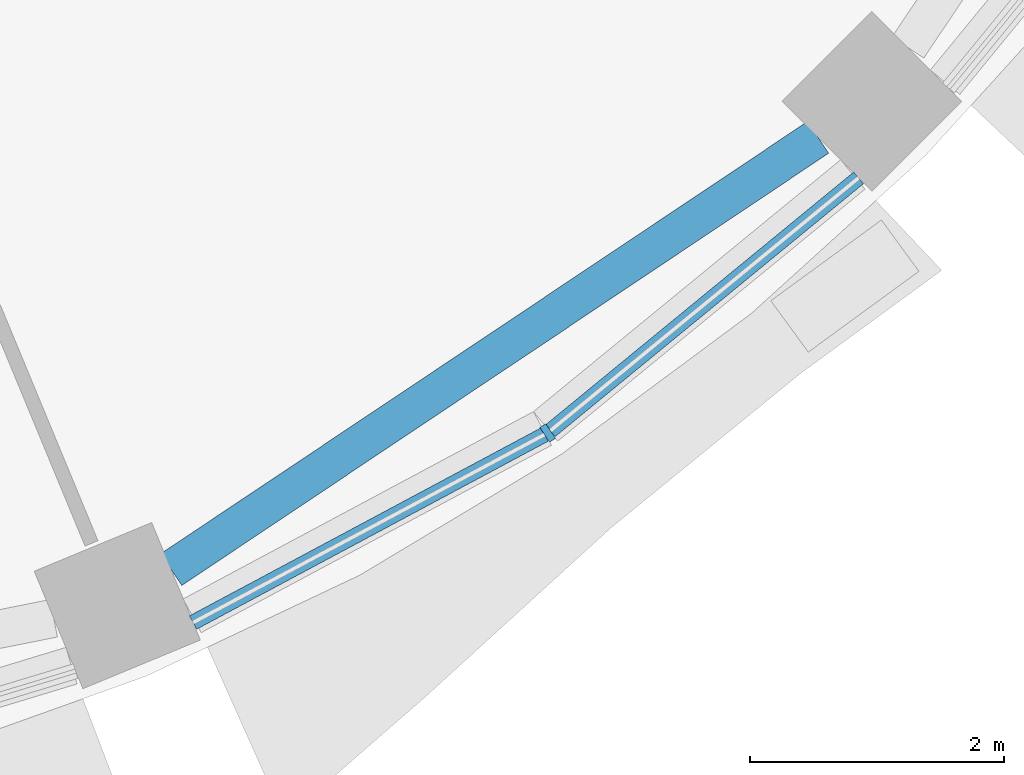
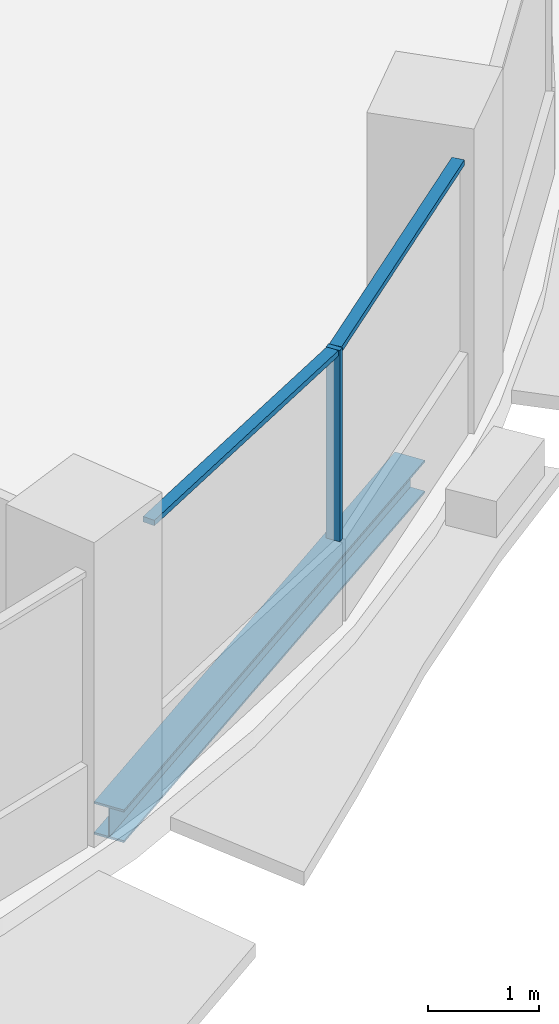
# One storey, part 3 of 14: 3 members, 1 beam, 1 element without a shape of its own.
"""IFC4 building model written with IfcOpenShell, lengths in metres."""

from ifc_helpers import new_model, si_unit, direction, frame, origin, origin_2d, place, context, subcontext, project, spatial, rectangle, i_section, extrude, material, material_profile, profile_set, type_object, element, aggregate, save


model = new_model("IFC4")

# Units and contexts
model_context = context("Model", 3, precision=1e-05, world=origin(), true_north=direction((0.0, 1.0)))
body_context = subcontext(model_context, "Body", "Model", "MODEL_VIEW")
ifc_project = project(units=[si_unit("LENGTHUNIT", "METRE"), si_unit("AREAUNIT", "SQUARE_METRE"), si_unit("VOLUMEUNIT", "CUBIC_METRE"), si_unit("PLANEANGLEUNIT", "RADIAN"), si_unit("MASSUNIT", "GRAM", prefix="KILO")], contexts=[model_context])

# Site, building, storey
site_placement = place(None, origin())
site = spatial("IfcSite", under=ifc_project, at=site_placement, CompositionType="ELEMENT")
building_placement = place(site_placement, origin())
building = spatial("IfcBuilding", under=site, at=building_placement, Name="Polderwave Tower", CompositionType="ELEMENT")
storey_placement = place(building_placement, frame((0.0, 0.0, 147.75)))
storey = spatial("IfcBuildingStorey", under=building, at=storey_placement, Name="L39", CompositionType="ELEMENT", Elevation=147.75)

# Curtain wall, members
ifc_material_1 = material(Name="Aluminium 6063-T6 and glass", Category="aluminium")
curtain_wall_type = type_object("IfcCurtainWallType", Name="Office ribbon glazing wall", PredefinedType="NOTDEFINED", material=ifc_material_1)
curtain_wall_placement = place(storey_placement, origin())
curtain_wall = element("IfcCurtainWall", 1, at=curtain_wall_placement, inside=storey, type_object=curtain_wall_type, Name="CW3 L39 13", PredefinedType="NOTDEFINED")
ifc_material_2 = material(Name="Aluminium 6063-T6", Category="aluminium")
ifc_material_profile_1 = material_profile(ifc_material_2, rectangle(XDim=0.139892578125, YDim=0.054931640625, at=origin_2d()), Name="AL 55x140")
ifc_profile_set_1 = profile_set([ifc_material_profile_1], Name="Aluminium 6063-T6")
member_type_1 = type_object("IfcMemberType", Name="Office ribbon glazing mullion 55x140", PredefinedType="MULLION", material=ifc_profile_set_1)
member_1_placement = place(storey_placement, frame((10.388916015625, -15.548095703125, 0.89990234375), z_axis=(0.0, 0.0, 1.0), x_axis=(-0.555512184136, 0.831508396395, 0.0)))
member_1 = element("IfcMember", 2, at=member_1_placement, type_object=member_type_1, Name="CW3 mullion 1", PredefinedType="MULLION", context=body_context, shape_type="SweptSolid", body=[
    extrude(rectangle(XDim=0.139892578125, YDim=0.054931640625, at=origin_2d()), origin(), (0.0, 0.0, 1.0), 2.10009765625),
])
ifc_material_profile_2 = material_profile(ifc_material_2, rectangle(XDim=0.1201171875, YDim=0.06005859375, at=origin_2d()), Name="AL 60x120")
ifc_profile_set_2 = profile_set([ifc_material_profile_2], Name="Aluminium 6063-T6")
member_type_2 = type_object("IfcMemberType", Name="Office ribbon glazing transom 60x120", PredefinedType="USERDEFINED", material=ifc_profile_set_2)
member_2_placement = place(storey_placement, frame((7.59912109375, -17.0400390625, 2.969970703125), z_axis=(0.881822284691, 0.471581867996, 0.0), x_axis=(-0.471581867996, 0.881822284691, 0.0)))
member_2 = element("IfcMember", 3, at=member_2_placement, type_object=member_type_2, Name="CW3 transom 1", ObjectType="TRANSOM", PredefinedType="USERDEFINED", context=body_context, shape_type="SweptSolid", body=[
    extrude(rectangle(XDim=0.1201171875, YDim=0.06005859375, at=origin_2d()), origin(), (0.0, 0.0, 1.0), 3.13623046875),
])
member_3_placement = place(storey_placement, frame((10.410400390625, -15.530517578125, 2.969970703125), z_axis=(0.773207470816, 0.634153141657, 0.0), x_axis=(-0.634153141657, 0.773207470816, 0.0)))
member_3 = element("IfcMember", 4, at=member_3_placement, type_object=member_type_2, Name="CW3 transom 2", ObjectType="TRANSOM", PredefinedType="USERDEFINED", context=body_context, shape_type="SweptSolid", body=[
    extrude(rectangle(XDim=0.1201171875, YDim=0.06005859375, at=origin_2d()), origin(), (0.0, 0.0, 1.0), 3.1357421875),
])
aggregate(curtain_wall, [member_1, member_2, member_3])

# Beam
ifc_material_3 = material(Name="Steel S355", Category="steel")
ifc_material_profile_3 = material_profile(ifc_material_3, i_section(OverallWidth=0.300048828125, OverallDepth=0.360107421875, WebThickness=0.012451171875, FlangeThickness=0.0224609375, at=origin_2d()), Name="HE 360 B")
ifc_profile_set_3 = profile_set([ifc_material_profile_3], Name="Steel S355")
beam_type = type_object("IfcBeamType", Name="RING BEAM HE 360 B", PredefinedType="BEAM", material=ifc_profile_set_3)
beam_placement = place(storey_placement, frame((7.427001953125, -16.623779296875, -0.530029296875), z_axis=(0.831472997284, 0.555565167003, 0.0), x_axis=(-0.555565167003, 0.831472997284, 0.0)))
element("IfcBeam", 5, at=beam_placement, inside=storey, type_object=beam_type, Name="ST-RB-L39-13", PredefinedType="BEAM", context=body_context, shape_type="SweptSolid", body=[
    extrude(i_section(OverallWidth=0.300048828125, OverallDepth=0.360107421875, WebThickness=0.012451171875, FlangeThickness=0.0224609375, at=origin_2d()), origin(), (0.0, 0.0, 1.0), 6.12060546875),
])

save(model, "model.ifc")
